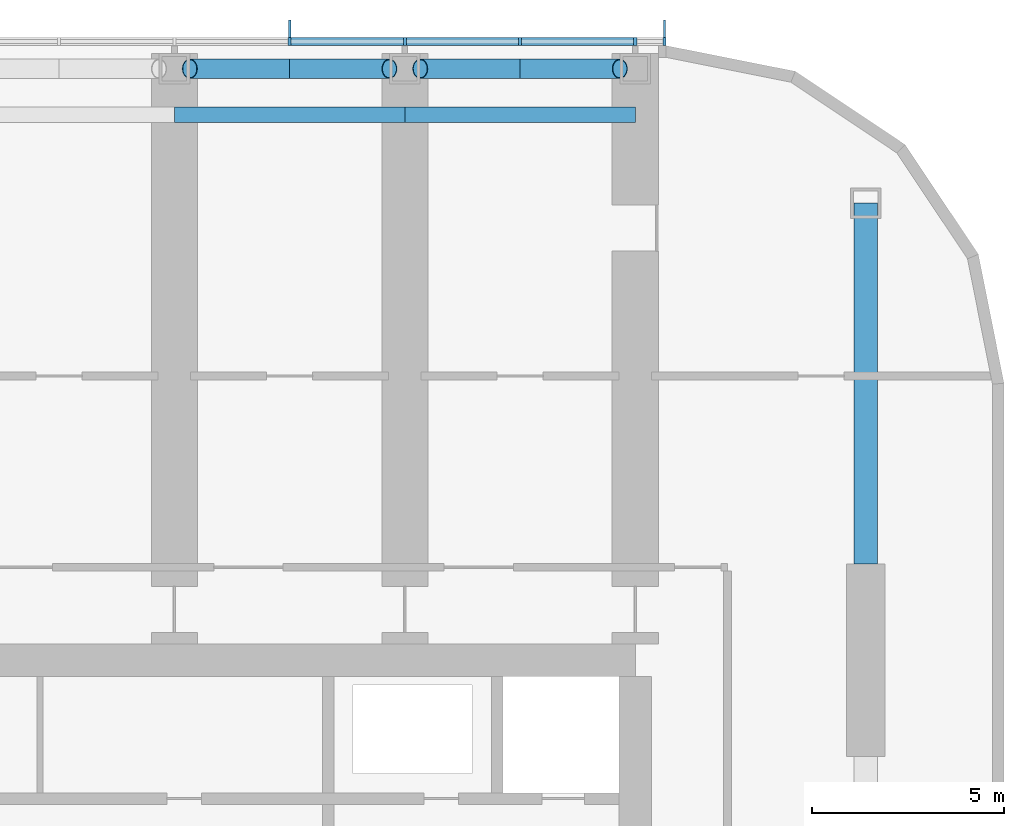
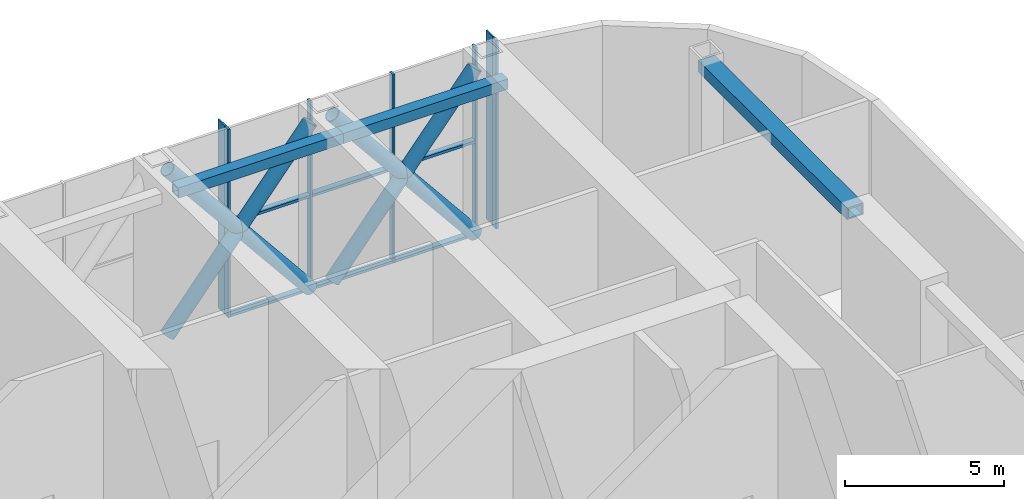
# One storey, part 5 of 22: 17 members, 3 beams, 1 element without a shape of its own.
"""IFC4 building model written with IfcOpenShell, lengths in metres."""

from ifc_helpers import new_model, si_unit, direction, frame, origin, origin_2d, place, context, subcontext, project, spatial, rectangle, hollow_rectangle, hollow_circle, extrude, material, material_profile, profile_set, type_object, element, aggregate, save


model = new_model("IFC4")

# Units and contexts
model_context = context("Model", 3, precision=1e-05, world=origin(), true_north=direction((0.0, 1.0)))
body_context = subcontext(model_context, "Body", "Model", "MODEL_VIEW")
ifc_project = project(units=[si_unit("LENGTHUNIT", "METRE"), si_unit("AREAUNIT", "SQUARE_METRE"), si_unit("VOLUMEUNIT", "CUBIC_METRE"), si_unit("PLANEANGLEUNIT", "RADIAN"), si_unit("MASSUNIT", "GRAM", prefix="KILO")], contexts=[model_context])

# Site, building, storey
site_placement = place(None, origin())
site = spatial("IfcSite", under=ifc_project, at=site_placement, CompositionType="ELEMENT")
building_placement = place(site_placement, origin())
building = spatial("IfcBuilding", under=site, at=building_placement, Name="Orbita Commons", CompositionType="ELEMENT")
storey_placement = place(building_placement, frame((0.0, 0.0, 201.10009765625)))
storey = spatial("IfcBuildingStorey", under=building, at=storey_placement, Name="L50", CompositionType="ELEMENT", Elevation=201.10009765625)

# Members
ifc_material_1 = material(Name="Steel ASTM A992", Category="steel")
ifc_material_profile_1 = material_profile(ifc_material_1, hollow_circle(Radius=0.25390625, WallThickness=0.02001953125, at=origin_2d()), Name="CHS 508x20")
ifc_profile_set_1 = profile_set([ifc_material_profile_1], Name="Steel ASTM A992")
member_type_1 = type_object("IfcMemberType", Name="Belt truss diagonal CHS 508x20", PredefinedType="BRACE", material=ifc_profile_set_1)
for number, where, z_axis, x_axis, name in (
    (1, (54.39990234375, 53.60009765625, 0.25), (0.630612687458, 0.0, 0.776097699015), (0.0, 1.0, 0.0), "Belt truss diagonal E 10-11 rising L50"),
    (2, (54.39990234375, 53.60009765625, 6.64990234375), (0.630612687458, 0.0, -0.776097699015), (0.0, 1.0, 0.0), "Belt truss diagonal E 10-11 falling L50"),
    (3, (60.39990234375, 53.60009765625, 0.25), (0.630612687458, 0.0, 0.776097699015), (0.0, 1.0, 0.0), "Belt truss diagonal E 11-12 rising L50"),
    (4, (60.39990234375, 53.60009765625, 6.64990234375), (0.630612687458, 0.0, -0.776097699015), (0.0, 1.0, 0.0), "Belt truss diagonal E 11-12 falling L50"),
):
    element("IfcMember", number, at=place(storey_placement, frame(where, z_axis=z_axis, x_axis=x_axis)), inside=storey, type_object=member_type_1, Name=name, PredefinedType="BRACE", context=body_context, shape_type="SweptSolid", body=[
        extrude(hollow_circle(Radius=0.25390625, WallThickness=0.02001953125, at=origin_2d()), origin(), (0.0, 0.0, 1.0), 8.246337890625),
    ])

# Curtain wall, members
ifc_material_2 = material(Name="Anodised aluminium frame, pale silver", Category="aluminium")
curtain_wall_type = type_object("IfcCurtainWallType", Name="Louvred curtain wall CW-V", PredefinedType="NOTDEFINED", material=ifc_material_2)
curtain_wall_placement = place(storey_placement, origin())
curtain_wall = element("IfcCurtainWall", 5, at=curtain_wall_placement, inside=storey, type_object=curtain_wall_type, Name="Curtain wall north L50", PredefinedType="NOTDEFINED")
ifc_material_3 = material(Name="Anodised aluminium, pale silver", Category="aluminium")
ifc_material_profile_2 = material_profile(ifc_material_3, rectangle(XDim=0.080078125, YDim=0.219970703125, at=origin_2d()), Name="AL 80x220")
ifc_profile_set_2 = profile_set([ifc_material_profile_2], Name="Anodised aluminium, pale silver")
member_type_2 = type_object("IfcMemberType", Name="Curtain wall mullion 80x220", PredefinedType="MULLION", material=ifc_profile_set_2)
member_1_placement = place(storey_placement, frame((66.760009765625, 54.31005859375, -0.35009765625), z_axis=(0.0, 0.0, 1.0), x_axis=(-1.0, 0.0, 0.0)))
member_1 = element("IfcMember", 6, at=member_1_placement, type_object=member_type_2, Name="Mullion 1 CW-L50-N", PredefinedType="MULLION", context=body_context, shape_type="SweptSolid", body=[
    extrude(rectangle(XDim=0.080078125, YDim=0.219970703125, at=origin_2d()), origin(), (0.0, 0.0, 1.0), 7.25),
])
member_2_placement = place(storey_placement, frame((66.0, 54.31005859375, -0.35009765625), z_axis=(0.0, 0.0, 1.0), x_axis=(-1.0, 0.0, 0.0)))
member_2 = element("IfcMember", 7, at=member_2_placement, type_object=member_type_2, Name="Mullion 2 CW-L50-N", PredefinedType="MULLION", context=body_context, shape_type="SweptSolid", body=[
    extrude(rectangle(XDim=0.080078125, YDim=0.219970703125, at=origin_2d()), origin(), (0.0, 0.0, 1.0), 7.25),
])
member_3_placement = place(storey_placement, frame((63.0, 54.31005859375, -0.35009765625), z_axis=(0.0, 0.0, 1.0), x_axis=(-1.0, 0.0, 0.0)))
member_3 = element("IfcMember", 8, at=member_3_placement, type_object=member_type_2, Name="Mullion 3 CW-L50-N", PredefinedType="MULLION", context=body_context, shape_type="SweptSolid", body=[
    extrude(rectangle(XDim=0.080078125, YDim=0.219970703125, at=origin_2d()), origin(), (0.0, 0.0, 1.0), 7.25),
])
member_4_placement = place(storey_placement, frame((60.0, 54.31005859375, -0.35009765625), z_axis=(0.0, 0.0, 1.0), x_axis=(-1.0, 0.0, 0.0)))
member_4 = element("IfcMember", 9, at=member_4_placement, type_object=member_type_2, Name="Mullion 4 CW-L50-N", PredefinedType="MULLION", context=body_context, shape_type="SweptSolid", body=[
    extrude(rectangle(XDim=0.080078125, YDim=0.219970703125, at=origin_2d()), origin(), (0.0, 0.0, 1.0), 7.25),
])
member_5_placement = place(storey_placement, frame((57.0, 54.31005859375, -0.35009765625), z_axis=(0.0, 0.0, 1.0), x_axis=(-1.0, 0.0, 0.0)))
member_5 = element("IfcMember", 10, at=member_5_placement, type_object=member_type_2, Name="Mullion 5 CW-L50-N", PredefinedType="MULLION", context=body_context, shape_type="SweptSolid", body=[
    extrude(rectangle(XDim=0.080078125, YDim=0.219970703125, at=origin_2d()), origin(), (0.0, 0.0, 1.0), 7.25),
])
ifc_material_4 = material(Name="Anodised aluminium, pale silver", Category="aluminium")
ifc_material_profile_3 = material_profile(ifc_material_4, rectangle(XDim=0.219970703125, YDim=0.10009765625, at=origin_2d()), Name="AL 220x100")
ifc_profile_set_3 = profile_set([ifc_material_profile_3], Name="Anodised aluminium, pale silver")
member_type_3 = type_object("IfcMemberType", Name="Curtain wall stack transom 220x100", PredefinedType="USERDEFINED", material=ifc_profile_set_3)
member_6_placement = place(storey_placement, frame((65.9599609375, 54.31005859375, -0.300048828125), z_axis=(-1.0, 0.0, 0.0), x_axis=(0.0, -1.0, 0.0)))
member_6 = element("IfcMember", 11, at=member_6_placement, type_object=member_type_3, Name="Transom 2.1 CW-L50-N", ObjectType="TRANSOM", PredefinedType="USERDEFINED", context=body_context, shape_type="SweptSolid", body=[
    extrude(rectangle(XDim=0.219970703125, YDim=0.10009765625, at=origin_2d()), origin(), (0.0, 0.0, 1.0), 2.919921875),
])
member_7_placement = place(storey_placement, frame((65.9599609375, 54.31005859375, 3.27490234375), z_axis=(-1.0, 0.0, 0.0), x_axis=(0.0, -1.0, 0.0)))
member_7 = element("IfcMember", 12, at=member_7_placement, type_object=member_type_3, Name="Transom 2.2 CW-L50-N", ObjectType="TRANSOM", PredefinedType="USERDEFINED", context=body_context, shape_type="SweptSolid", body=[
    extrude(rectangle(XDim=0.219970703125, YDim=0.10009765625, at=origin_2d()), origin(), (0.0, 0.0, 1.0), 2.919921875),
])
member_8_placement = place(storey_placement, frame((62.9599609375, 54.31005859375, -0.300048828125), z_axis=(-1.0, 0.0, 0.0), x_axis=(0.0, -1.0, 0.0)))
member_8 = element("IfcMember", 13, at=member_8_placement, type_object=member_type_3, Name="Transom 3.1 CW-L50-N", ObjectType="TRANSOM", PredefinedType="USERDEFINED", context=body_context, shape_type="SweptSolid", body=[
    extrude(rectangle(XDim=0.219970703125, YDim=0.10009765625, at=origin_2d()), origin(), (0.0, 0.0, 1.0), 2.919921875),
])
member_9_placement = place(storey_placement, frame((62.9599609375, 54.31005859375, 3.27490234375), z_axis=(-1.0, 0.0, 0.0), x_axis=(0.0, -1.0, 0.0)))
member_9 = element("IfcMember", 14, at=member_9_placement, type_object=member_type_3, Name="Transom 3.2 CW-L50-N", ObjectType="TRANSOM", PredefinedType="USERDEFINED", context=body_context, shape_type="SweptSolid", body=[
    extrude(rectangle(XDim=0.219970703125, YDim=0.10009765625, at=origin_2d()), origin(), (0.0, 0.0, 1.0), 2.919921875),
])
member_10_placement = place(storey_placement, frame((59.9599609375, 54.31005859375, -0.300048828125), z_axis=(-1.0, 0.0, 0.0), x_axis=(0.0, -1.0, 0.0)))
member_10 = element("IfcMember", 15, at=member_10_placement, type_object=member_type_3, Name="Transom 4.1 CW-L50-N", ObjectType="TRANSOM", PredefinedType="USERDEFINED", context=body_context, shape_type="SweptSolid", body=[
    extrude(rectangle(XDim=0.219970703125, YDim=0.10009765625, at=origin_2d()), origin(), (0.0, 0.0, 1.0), 2.919921875),
])
member_11_placement = place(storey_placement, frame((59.9599609375, 54.31005859375, 3.27490234375), z_axis=(-1.0, 0.0, 0.0), x_axis=(0.0, -1.0, 0.0)))
member_11 = element("IfcMember", 16, at=member_11_placement, type_object=member_type_3, Name="Transom 4.2 CW-L50-N", ObjectType="TRANSOM", PredefinedType="USERDEFINED", context=body_context, shape_type="SweptSolid", body=[
    extrude(rectangle(XDim=0.219970703125, YDim=0.10009765625, at=origin_2d()), origin(), (0.0, 0.0, 1.0), 2.919921875),
])

# Beams
ifc_material_5 = material(Name="Steel ASTM A572 Gr 50 welded plate", Category="steel")
ifc_material_profile_4 = material_profile(ifc_material_5, hollow_rectangle(XDim=0.60009765625, YDim=0.449951171875, WallThickness=0.06005859375, at=origin_2d()), Name="BOX 450x600x60")
ifc_profile_set_4 = profile_set([ifc_material_profile_4], Name="Steel ASTM A572 Gr 50 welded plate")
beam_type_1 = type_object("IfcBeamType", Name="Steel end frame link BOX 450x600x60", PredefinedType="BEAM", material=ifc_profile_set_4)
beam_placement = place(storey_placement, frame((72.0, 40.699951171875, 6.6748046875), z_axis=(0.0, 1.0, 0.0), x_axis=(-1.0, 0.0, 0.0)))
element("IfcBeam", 17, at=beam_placement, inside=storey, type_object=beam_type_1, Name="End frame beam 13 D-E L50", PredefinedType="BEAM", context=body_context, shape_type="SweptSolid", body=[
    extrude(hollow_rectangle(XDim=0.60009765625, YDim=0.449951171875, WallThickness=0.06005859375, at=origin_2d()), origin(), (0.0, 0.0, 1.0), 9.400146484375),
])
ifc_material_6 = material(Name="Steel ASTM A572 Gr 50 welded plate", Category="steel")
ifc_material_profile_5 = material_profile(ifc_material_6, hollow_rectangle(XDim=0.39990234375, YDim=0.39990234375, WallThickness=0.0400390625, at=origin_2d()), Name="BOX 400x400x40")
ifc_profile_set_5 = profile_set([ifc_material_profile_5], Name="Steel ASTM A572 Gr 50 welded plate")
beam_type_2 = type_object("IfcBeamType", Name="Steel spandrel BOX 400x400x40", PredefinedType="SPANDREL", material=ifc_profile_set_5)
for number, where, z_axis, x_axis, name in (
    (18, (54.0, 52.39990234375, 6.699951171875), (1.0, 0.0, 0.0), (0.0, 1.0, 0.0), "Spandrel beam E 10-11 L50"),
    (19, (60.0, 52.39990234375, 6.699951171875), (1.0, 0.0, 0.0), (0.0, 1.0, 0.0), "Spandrel beam E 11-12 L50"),
):
    element("IfcBeam", number, at=place(storey_placement, frame(where, z_axis=z_axis, x_axis=x_axis)), inside=storey, type_object=beam_type_2, Name=name, PredefinedType="SPANDREL", context=body_context, shape_type="SweptSolid", body=[
        extrude(hollow_rectangle(XDim=0.39990234375, YDim=0.39990234375, WallThickness=0.0400390625, at=origin_2d()), origin(), (0.0, 0.0, 1.0), 6.0),
    ])

# Member
ifc_material_7 = material(Name="Anodised aluminium, pale silver", Category="aluminium")
ifc_material_profile_6 = material_profile(ifc_material_7, rectangle(XDim=0.06005859375, YDim=0.449951171875, at=origin_2d()), Name="FIN 60x450")
ifc_profile_set_6 = profile_set([ifc_material_profile_6], Name="Anodised aluminium, pale silver")
member_type_4 = type_object("IfcMemberType", Name="Vertical fin 60x450 pale aluminium", PredefinedType="USERDEFINED", material=ifc_profile_set_6)
member_12_placement = place(storey_placement, frame((66.760009765625, 54.64501953125, -0.35009765625), z_axis=(0.0, 0.0, 1.0), x_axis=(-1.0, 0.0, 0.0)))
member_12 = element("IfcMember", 20, at=member_12_placement, type_object=member_type_4, Name="Fin 1 CW-L50-N", ObjectType="FIN", PredefinedType="USERDEFINED", context=body_context, shape_type="SweptSolid", body=[
    extrude(rectangle(XDim=0.06005859375, YDim=0.449951171875, at=origin_2d()), origin(), (0.0, 0.0, 1.0), 7.25),
])

member_13_placement = place(storey_placement, frame((57.0, 54.64501953125, -0.35009765625), z_axis=(0.0, 0.0, 1.0), x_axis=(-1.0, 0.0, 0.0)))
member_13 = element("IfcMember", 21, at=member_13_placement, type_object=member_type_4, Name="Fin 5 CW-L50-N", ObjectType="FIN", PredefinedType="USERDEFINED", context=body_context, shape_type="SweptSolid", body=[
    extrude(rectangle(XDim=0.06005859375, YDim=0.449951171875, at=origin_2d()), origin(), (0.0, 0.0, 1.0), 7.25),
])

aggregate(curtain_wall, [member_1, member_12, member_2, member_3, member_4, member_5, member_13, member_6, member_7, member_8, member_9, member_10, member_11])

save(model, "model.ifc")
